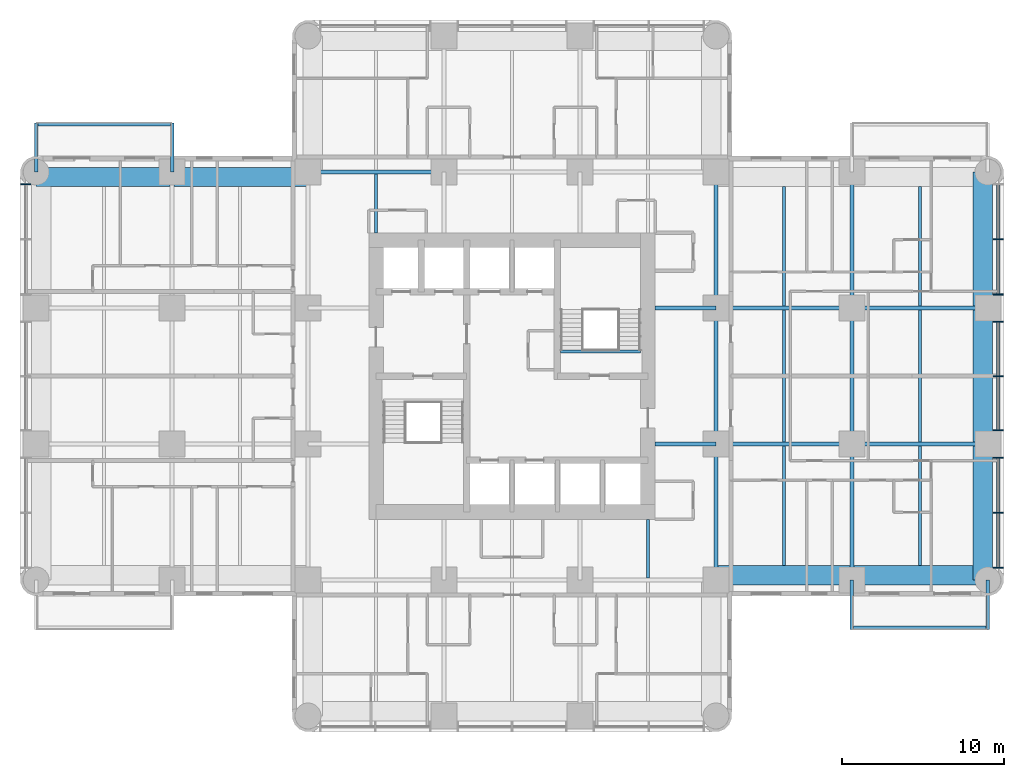
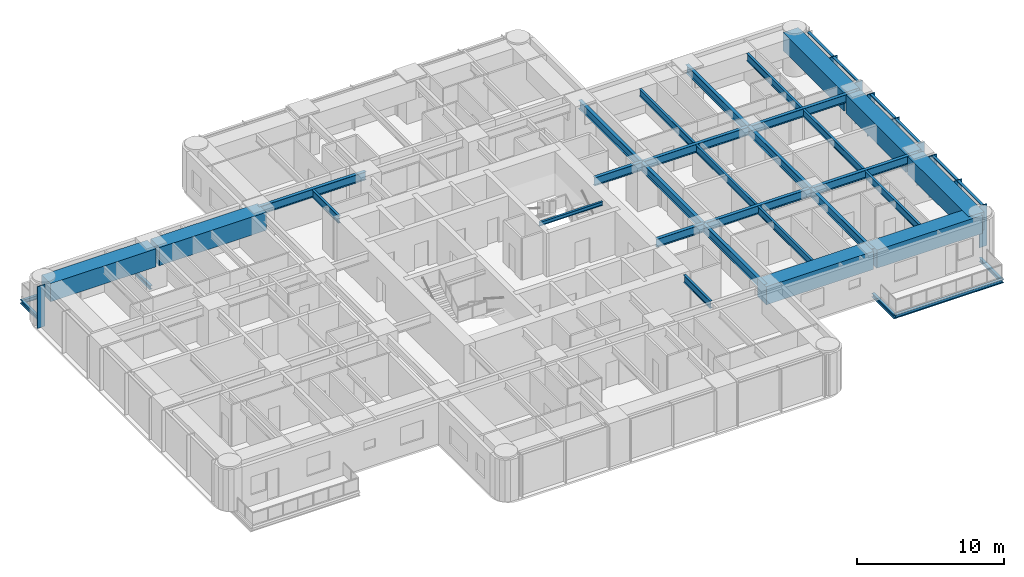
# One storey, part 3 of 14: 35 beams, 15 members, 2 elements without a shape of their own.
"""IFC4 building model written with IfcOpenShell, lengths in metres."""

import ifcopenshell
import ifcopenshell.guid

model = None  # the IFC model being written
_history = None  # IfcOwnerHistory: only IFC2X3 demands one
_inside = {}  # id of a spatial element -> (the spatial element, [elements in it])
_under = {}  # id of a project, library or spatial element -> (it, [spatial elements below it])
_declared = {}  # id of a project -> (the project, [libraries it declares])
_typed = {}  # id of a type object -> (the type object, [elements of that type])
_made_of = {}  # id of a material, layer set ... -> (it, [elements and type objects made of it])


def new_model(schema):
    """Start an empty IFC model of exactly this schema.

    Asked for "IFC4X3", IfcOpenShell would pick the latest addendum, in which some entities
    have other attributes; the version numbers below select the first issue.
    IFC2X3 requires an IfcOwnerHistory on every rooted entity: one is made here for all.
    """
    global model, _history
    if schema == "IFC4X3":
        model = ifcopenshell.file(schema_version=(4, 3, 0, 0))
    else:
        model = ifcopenshell.file(schema=schema)
    _inside.clear()
    _under.clear()
    _declared.clear()
    _typed.clear()
    _made_of.clear()
    _history = None
    if model.schema == "IFC2X3":
        org = make("IfcOrganization", Name="unknown")
        user = make(
            "IfcPersonAndOrganization",
            ThePerson=make("IfcPerson", FamilyName="unknown"),
            TheOrganization=org,
        )
        app = make(
            "IfcApplication",
            ApplicationDeveloper=org,
            Version="unknown",
            ApplicationFullName="unknown",
            ApplicationIdentifier="unknown",
        )
        _history = make(
            "IfcOwnerHistory",
            OwningUser=user,
            OwningApplication=app,
            ChangeAction="ADDED",
            CreationDate=0,
        )
    return model


def make(cls, **values):
    """One entity of the class cls with the attributes given. An attribute that is None is left unset."""
    return model.create_entity(
        cls, **{name: value for name, value in values.items() if value is not None}
    )


def rooted(cls, **values):
    """An entity with a GlobalId (a new one), such as an element, a storey or a relation."""
    return make(cls, GlobalId=ifcopenshell.guid.new(), OwnerHistory=_history, **values)


def si_unit(unit_type, name, prefix=None):
    """IfcSIUnit, for example si_unit("LENGTHUNIT", "METRE", prefix="MILLI")."""
    return make("IfcSIUnit", UnitType=unit_type, Prefix=prefix, Name=name)


def assignment(units):
    """IfcUnitAssignment: the units of a project."""
    return None if units is None else make("IfcUnitAssignment", Units=units)


def point(xyz):
    """IfcCartesianPoint."""
    return None if xyz is None else make("IfcCartesianPoint", Coordinates=xyz)


def direction(xyz):
    """IfcDirection."""
    return None if xyz is None else make("IfcDirection", DirectionRatios=xyz)


def frame(location, z_axis=None, x_axis=None):
    """IfcAxis2Placement3D, a coordinate frame: its origin and axes. An axis left out is left unset."""
    return make(
        "IfcAxis2Placement3D",
        Location=point(location),
        Axis=direction(z_axis),
        RefDirection=direction(x_axis),
    )


def frame_2d(location, x_axis=None):
    """IfcAxis2Placement2D, a coordinate frame in the plane: its origin and x axis."""
    return make(
        "IfcAxis2Placement2D", Location=point(location), RefDirection=direction(x_axis)
    )


def origin():
    """The frame at (0, 0, 0) with its axes left unset."""
    return frame((0.0, 0.0, 0.0))


def origin_2d():
    """The frame at (0, 0) in the plane with its x axis left unset."""
    return frame_2d((0.0, 0.0))


def place(relative_to, where):
    """IfcLocalPlacement: puts the frame where relative to a parent placement (None: the world)."""
    return make(
        "IfcLocalPlacement", PlacementRelTo=relative_to, RelativePlacement=where
    )


def context(
    kind, dimensions, precision=None, world=None, true_north=None, identifier=None
):
    """IfcGeometricRepresentationContext, for example the 3D "Model" context."""
    return make(
        "IfcGeometricRepresentationContext",
        ContextIdentifier=identifier,
        ContextType=kind,
        CoordinateSpaceDimension=dimensions,
        Precision=precision,
        WorldCoordinateSystem=world,
        TrueNorth=true_north,
    )


def subcontext(parent, identifier, kind, view, scale=None):
    """IfcGeometricRepresentationSubContext, for example "Body" below "Model"."""
    return make(
        "IfcGeometricRepresentationSubContext",
        ContextIdentifier=identifier,
        ContextType=kind,
        ParentContext=parent,
        TargetScale=scale,
        TargetView=view,
    )


def project(units=None, contexts=None):
    """IfcProject with its units and contexts."""
    return rooted(
        "IfcProject",
        Name="project",
        RepresentationContexts=contexts,
        UnitsInContext=assignment(units),
    )


def spatial(cls, under=None, at=None, **own):
    """A site, building, storey or space (cls), placed at a placement, below another one or the project."""
    s = rooted(cls, ObjectPlacement=at, **own)
    if under is not None:
        _under.setdefault(under.id(), (under, []))[1].append(s)
    return s


def profile(cls, at=None, kind="AREA", **sizes):
    """A parametric profile (cls). Its sizes go by their IFC names, for example OverallWidth=200.0."""
    return make(cls, ProfileType=kind, Position=at, **sizes)


def rectangle(**sizes):
    """IfcRectangleProfileDef."""
    return profile("IfcRectangleProfileDef", **sizes)


def i_section(**sizes):
    """IfcIShapeProfileDef."""
    return profile("IfcIShapeProfileDef", **sizes)


def extrude(swept, where, along, depth):
    """IfcExtrudedAreaSolid: the profile swept, set in the frame where, extruded along a direction by depth."""
    return make(
        "IfcExtrudedAreaSolid",
        SweptArea=swept,
        Position=where,
        ExtrudedDirection=direction(along),
        Depth=depth,
    )


def shape(context_of_items, identifier, shape_type, items):
    """IfcShapeRepresentation: the items that make up one representation, for example the "Body"."""
    return make(
        "IfcShapeRepresentation",
        ContextOfItems=context_of_items,
        RepresentationIdentifier=identifier,
        RepresentationType=shape_type,
        Items=items,
    )


def material(Name=None, Category=None):
    """IfcMaterial."""
    return make("IfcMaterial", Name=Name, Category=Category)


def material_profile(
    of_material, cross_section, Name=None, Category=None, Priority=None
):
    """IfcMaterialProfile: a cross section and its material."""
    return make(
        "IfcMaterialProfile",
        Name=Name,
        Material=of_material,
        Profile=cross_section,
        Priority=Priority,
        Category=Category,
    )


def profile_set(profiles, Name=None, composite=None):
    """IfcMaterialProfileSet."""
    return make(
        "IfcMaterialProfileSet",
        Name=Name,
        MaterialProfiles=profiles,
        CompositeProfile=composite,
    )


def made_of(thing, what):
    """Note that an element or type object is made of a material, layer set ...; save() writes the relation."""
    if what is not None:
        _made_of.setdefault(what.id(), (what, []))[1].append(thing)
    return thing


def type_object(cls, material=None, **own):
    """A type object (cls), such as IfcWallType, which elements share."""
    return made_of(rooted(cls, **own), material)


def element(
    cls,
    number,
    at=None,
    inside=None,
    cuts=None,
    type_object=None,
    material=None,
    context=None,
    identifier="Body",
    shape_type=None,
    held_by="IfcProductDefinitionShape",
    body=None,
    shapes=None,
    **own,
):
    """One element of the class cls, such as IfcWall. Its Tag is "e" and its number.

    at: its placement. inside: the storey or other place that contains it. cuts: it is an
    opening in that element (IfcRelVoidsElement). A single representation is given by context,
    identifier, shape_type and body (its items); several are given by shapes. held_by: the class
    of the entity that holds the representations. save() writes the other relations.
    """
    e = rooted(cls, Tag="e%d" % number, ObjectPlacement=at, **own)
    if body is not None:
        shapes = [shape(context, identifier, shape_type, body)]
    if shapes is not None:
        e.Representation = make(held_by, Representations=shapes)
    if inside is not None:
        _inside.setdefault(inside.id(), (inside, []))[1].append(e)
    if cuts is not None:
        rooted(
            "IfcRelVoidsElement", RelatingBuildingElement=cuts, RelatedOpeningElement=e
        )
    if type_object is not None:
        _typed.setdefault(type_object.id(), (type_object, []))[1].append(e)
    return made_of(e, material)


def aggregate(whole, parts):
    """IfcRelAggregates: a whole, such as a stair, and the parts it consists of."""
    return rooted("IfcRelAggregates", RelatingObject=whole, RelatedObjects=parts)


def save(model, path):
    """Write the relations noted so far, then the file.

    IfcRelAggregates (storeys below a building ...), IfcRelContainedInSpatialStructure (elements
    in a storey), IfcRelDefinesByType, IfcRelAssociatesMaterial and IfcRelDeclares: one each for
    every whole, place, type object, material and project.
    """
    for whole, parts in _under.values():
        aggregate(whole, parts)
    for where, things in _inside.values():
        rooted(
            "IfcRelContainedInSpatialStructure",
            RelatedElements=things,
            RelatingStructure=where,
        )
    for kind, things in _typed.values():
        rooted("IfcRelDefinesByType", RelatedObjects=things, RelatingType=kind)
    for what, things in _made_of.values():
        rooted("IfcRelAssociatesMaterial", RelatedObjects=things, RelatingMaterial=what)
    for by, libraries in _declared.values():
        rooted("IfcRelDeclares", RelatingContext=by, RelatedDefinitions=libraries)
    model.write(path)


model = new_model("IFC4")

# Units and contexts
model_context = context("Model", 3, precision=1e-05, world=origin(), true_north=direction((0.0, 1.0)))
body_context = subcontext(model_context, "Body", "Model", "MODEL_VIEW")
ifc_project = project(units=[si_unit("LENGTHUNIT", "METRE"), si_unit("AREAUNIT", "SQUARE_METRE"), si_unit("VOLUMEUNIT", "CUBIC_METRE"), si_unit("PLANEANGLEUNIT", "RADIAN"), si_unit("MASSUNIT", "GRAM", prefix="KILO")], contexts=[model_context])

# Site, building, storey
site_placement = place(None, origin())
site = spatial("IfcSite", under=ifc_project, at=site_placement, CompositionType="ELEMENT")
building_placement = place(site_placement, origin())
building = spatial("IfcBuilding", under=site, at=building_placement, Name="Torre Alcanfor", CompositionType="ELEMENT")
storey_placement = place(building_placement, frame((0.0, 0.0, 141.300048828125)))
storey = spatial("IfcBuildingStorey", under=building, at=storey_placement, Name="L36", CompositionType="ELEMENT", Elevation=141.300048828125)

# Beams
ifc_material_1 = material(Name="Steel ASTM A992 Grade 50", Category="steel")
ifc_material_profile_1 = material_profile(ifc_material_1, i_section(OverallWidth=0.205322265625, OverallDepth=0.309814453125, WebThickness=0.00927734375, FlangeThickness=0.016357421875, at=origin_2d()), Name="W12x50")
ifc_profile_set_1 = profile_set([ifc_material_profile_1], Name="Steel ASTM A992 Grade 50")
beam_type_1 = type_object("IfcBeamType", Name="Balcony cantilever beam W12x50", PredefinedType="BEAM", material=ifc_profile_set_1)
for number, where, z_axis, x_axis, name in (
    (1, (50.39990234375, 16.800048828125, -0.35498046875), (0.0, -1.0, 0.0), (1.0, 0.0, 0.0), "Balcony cantilever beam L36-E2 1"),
    (2, (58.800048828125, 16.800048828125, -0.35498046875), (0.0, -1.0, 0.0), (1.0, 0.0, 0.0), "Balcony cantilever beam L36-E2 2"),
    (3, (8.39990234375, 42.0, -0.35498046875), (0.0, 1.0, 0.0), (-1.0, 0.0, 0.0), "Balcony cantilever beam L36-W2 1"),
    (4, (0.0, 42.0, -0.35498046875), (0.0, 1.0, 0.0), (-1.0, 0.0, 0.0), "Balcony cantilever beam L36-W2 2"),
):
    element("IfcBeam", number, at=place(storey_placement, frame(where, z_axis=z_axis, x_axis=x_axis)), inside=storey, type_object=beam_type_1, Name=name, PredefinedType="BEAM", context=body_context, shape_type="SweptSolid", body=[
        extrude(i_section(OverallWidth=0.205322265625, OverallDepth=0.309814453125, WebThickness=0.00927734375, FlangeThickness=0.016357421875, at=origin_2d()), origin(), (0.0, 0.0, 1.0), 3.050048828125),
    ])
ifc_material_2 = material(Name="Steel ASTM A992 Grade 50", Category="steel")
ifc_material_profile_2 = material_profile(ifc_material_2, i_section(OverallWidth=0.203369140625, OverallDepth=0.30224609375, WebThickness=0.007568359375, FlangeThickness=0.01318359375, at=origin_2d()), Name="W12x40")
ifc_profile_set_2 = profile_set([ifc_material_profile_2], Name="Steel ASTM A992 Grade 50")
beam_type_2 = type_object("IfcBeamType", Name="Balcony edge trimmer W12x40", PredefinedType="BEAM", material=ifc_profile_set_2)
beam_1_placement = place(storey_placement, frame((50.39990234375, 13.851806640625, -0.35107421875), z_axis=(1.0, 0.0, 0.0), x_axis=(0.0, 1.0, 0.0)))
element("IfcBeam", 5, at=beam_1_placement, inside=storey, type_object=beam_type_2, Name="Balcony edge trimmer L36-E2", PredefinedType="BEAM", context=body_context, shape_type="SweptSolid", body=[
    extrude(i_section(OverallWidth=0.203369140625, OverallDepth=0.30224609375, WebThickness=0.007568359375, FlangeThickness=0.01318359375, at=origin_2d()), origin(), (0.0, 0.0, 1.0), 8.400146484375),
])
beam_2_placement = place(storey_placement, frame((8.39990234375, 44.9482421875, -0.35107421875), z_axis=(-1.0, 0.0, 0.0), x_axis=(0.0, -1.0, 0.0)))
element("IfcBeam", 6, at=beam_2_placement, inside=storey, type_object=beam_type_2, Name="Balcony edge trimmer L36-W2", PredefinedType="BEAM", context=body_context, shape_type="SweptSolid", body=[
    extrude(i_section(OverallWidth=0.203369140625, OverallDepth=0.30224609375, WebThickness=0.007568359375, FlangeThickness=0.01318359375, at=origin_2d()), origin(), (0.0, 0.0, 1.0), 8.39990234375),
])

# Curtain wall, member
ifc_material_3 = material(Name="Aluminium and glass", Category="aluminium")
curtain_wall_type = type_object("IfcCurtainWallType", Name="CW-A unitised apartment glazing with vertical FIN", PredefinedType="NOTDEFINED", material=ifc_material_3)
curtain_wall_1_placement = place(storey_placement, origin())
curtain_wall_1 = element("IfcCurtainWall", 7, at=curtain_wall_1_placement, inside=storey, type_object=curtain_wall_type, Name="Curtain wall CW-A L36 2", PredefinedType="NOTDEFINED")
ifc_material_4 = material(Name="Bronze anodised aluminium", Category="aluminium")
ifc_material_profile_3 = material_profile(ifc_material_4, rectangle(XDim=0.60009765625, YDim=0.06494140625, at=origin_2d()), Name="CW-A mullion 65x600")
ifc_profile_set_3 = profile_set([ifc_material_profile_3], Name="Bronze anodised aluminium")
member_type_1 = type_object("IfcMemberType", Name="CW-A mullion with vertical FIN 65x600", PredefinedType="MULLION", material=ifc_profile_set_3)
member_1_placement = place(storey_placement, frame((-0.64990234375, 41.24267578125, 0.0), z_axis=(0.0, 0.0, 1.0), x_axis=(1.0, 0.0, 0.0)))
member_1 = element("IfcMember", 8, at=member_1_placement, type_object=member_type_1, Name="CW-A mullion 1.1", PredefinedType="MULLION", context=body_context, shape_type="SweptSolid", body=[
    extrude(rectangle(XDim=0.60009765625, YDim=0.06494140625, at=origin_2d()), origin(), (0.0, 0.0, 1.0), 3.449951171875),
])
aggregate(curtain_wall_1, [member_1])

# Curtain wall, members
curtain_wall_2_placement = place(storey_placement, origin())
curtain_wall_2 = element("IfcCurtainWall", 9, at=curtain_wall_2_placement, inside=storey, type_object=curtain_wall_type, Name="Curtain wall CW-A L36 8", PredefinedType="NOTDEFINED")
member_2_placement = place(storey_placement, frame((59.449951171875, 17.557373046875, 0.0), z_axis=(0.0, 0.0, 1.0), x_axis=(-1.0, 0.0, 0.0)))
member_2 = element("IfcMember", 10, at=member_2_placement, type_object=member_type_1, Name="CW-A mullion 1.1", PredefinedType="MULLION", context=body_context, shape_type="SweptSolid", body=[
    extrude(rectangle(XDim=0.60009765625, YDim=0.06494140625, at=origin_2d()), origin(), (0.0, 0.0, 1.0), 3.449951171875),
])
member_3_placement = place(storey_placement, frame((59.449951171875, 20.9599609375, 0.0), z_axis=(0.0, 0.0, 1.0), x_axis=(-1.0, 0.0, 0.0)))
member_3 = element("IfcMember", 11, at=member_3_placement, type_object=member_type_1, Name="CW-A mullion 1.2", PredefinedType="MULLION", context=body_context, shape_type="SweptSolid", body=[
    extrude(rectangle(XDim=0.60009765625, YDim=0.06494140625, at=origin_2d()), origin(), (0.0, 0.0, 1.0), 3.449951171875),
])
member_4_placement = place(storey_placement, frame((59.449951171875, 24.362548828125, 0.0), z_axis=(0.0, 0.0, 1.0), x_axis=(-1.0, 0.0, 0.0)))
member_4 = element("IfcMember", 12, at=member_4_placement, type_object=member_type_1, Name="CW-A mullion 1.3", PredefinedType="MULLION", context=body_context, shape_type="SweptSolid", body=[
    extrude(rectangle(XDim=0.60009765625, YDim=0.06494140625, at=origin_2d()), origin(), (0.0, 0.0, 1.0), 3.449951171875),
])
member_5_placement = place(storey_placement, frame((59.449951171875, 26.03759765625, 0.0), z_axis=(0.0, 0.0, 1.0), x_axis=(-1.0, 0.0, 0.0)))
member_5 = element("IfcMember", 13, at=member_5_placement, type_object=member_type_1, Name="CW-A mullion 2.1", PredefinedType="MULLION", context=body_context, shape_type="SweptSolid", body=[
    extrude(rectangle(XDim=0.60009765625, YDim=0.06494140625, at=origin_2d()), origin(), (0.0, 0.0, 1.0), 3.449951171875),
])
member_6_placement = place(storey_placement, frame((59.449951171875, 29.39990234375, 0.0), z_axis=(0.0, 0.0, 1.0), x_axis=(-1.0, 0.0, 0.0)))
member_6 = element("IfcMember", 14, at=member_6_placement, type_object=member_type_1, Name="CW-A mullion 2.2", PredefinedType="MULLION", context=body_context, shape_type="SweptSolid", body=[
    extrude(rectangle(XDim=0.60009765625, YDim=0.06494140625, at=origin_2d()), origin(), (0.0, 0.0, 1.0), 3.449951171875),
])
member_7_placement = place(storey_placement, frame((59.449951171875, 32.762451171875, 0.0), z_axis=(0.0, 0.0, 1.0), x_axis=(-1.0, 0.0, 0.0)))
member_7 = element("IfcMember", 15, at=member_7_placement, type_object=member_type_1, Name="CW-A mullion 2.3", PredefinedType="MULLION", context=body_context, shape_type="SweptSolid", body=[
    extrude(rectangle(XDim=0.60009765625, YDim=0.06494140625, at=origin_2d()), origin(), (0.0, 0.0, 1.0), 3.449951171875),
])
member_8_placement = place(storey_placement, frame((59.449951171875, 34.4375, 0.0), z_axis=(0.0, 0.0, 1.0), x_axis=(-1.0, 0.0, 0.0)))
member_8 = element("IfcMember", 16, at=member_8_placement, type_object=member_type_1, Name="CW-A mullion 3.1", PredefinedType="MULLION", context=body_context, shape_type="SweptSolid", body=[
    extrude(rectangle(XDim=0.60009765625, YDim=0.06494140625, at=origin_2d()), origin(), (0.0, 0.0, 1.0), 3.449951171875),
])
member_9_placement = place(storey_placement, frame((59.449951171875, 37.840087890625, 0.0), z_axis=(0.0, 0.0, 1.0), x_axis=(-1.0, 0.0, 0.0)))
member_9 = element("IfcMember", 17, at=member_9_placement, type_object=member_type_1, Name="CW-A mullion 3.2", PredefinedType="MULLION", context=body_context, shape_type="SweptSolid", body=[
    extrude(rectangle(XDim=0.60009765625, YDim=0.06494140625, at=origin_2d()), origin(), (0.0, 0.0, 1.0), 3.449951171875),
])
ifc_material_5 = material(Name="Extruded aluminium", Category="aluminium")
ifc_material_profile_4 = material_profile(ifc_material_5, rectangle(XDim=0.199951171875, YDim=0.06494140625, at=origin_2d()), Name="CW-A transom 200x65")
ifc_profile_set_4 = profile_set([ifc_material_profile_4], Name="Extruded aluminium")
member_type_2 = type_object("IfcMemberType", Name="CW-A transom 65x200", PredefinedType="USERDEFINED", material=ifc_profile_set_4)
member_10_placement = place(storey_placement, frame((59.449951171875, 17.58984375, 3.41748046875), z_axis=(0.0, 1.0, 0.0), x_axis=(-1.0, 0.0, 0.0)))
member_10 = element("IfcMember", 18, at=member_10_placement, type_object=member_type_2, Name="CW-A transom 1.1.2", ObjectType="TRANSOM", PredefinedType="USERDEFINED", context=body_context, shape_type="SweptSolid", body=[
    extrude(rectangle(XDim=0.199951171875, YDim=0.06494140625, at=origin_2d()), origin(), (0.0, 0.0, 1.0), 3.337646484375),
])
member_11_placement = place(storey_placement, frame((59.449951171875, 20.992431640625, 3.41748046875), z_axis=(0.0, 1.0, 0.0), x_axis=(-1.0, 0.0, 0.0)))
member_11 = element("IfcMember", 19, at=member_11_placement, type_object=member_type_2, Name="CW-A transom 1.2.2", ObjectType="TRANSOM", PredefinedType="USERDEFINED", context=body_context, shape_type="SweptSolid", body=[
    extrude(rectangle(XDim=0.199951171875, YDim=0.06494140625, at=origin_2d()), origin(), (0.0, 0.0, 1.0), 3.337646484375),
])
member_12_placement = place(storey_placement, frame((59.449951171875, 26.070068359375, 3.41748046875), z_axis=(0.0, 1.0, 0.0), x_axis=(-1.0, 0.0, 0.0)))
member_12 = element("IfcMember", 20, at=member_12_placement, type_object=member_type_2, Name="CW-A transom 2.1.2", ObjectType="TRANSOM", PredefinedType="USERDEFINED", context=body_context, shape_type="SweptSolid", body=[
    extrude(rectangle(XDim=0.199951171875, YDim=0.06494140625, at=origin_2d()), origin(), (0.0, 0.0, 1.0), 3.29736328125),
])
member_13_placement = place(storey_placement, frame((59.449951171875, 29.4326171875, 3.41748046875), z_axis=(0.0, 1.0, 0.0), x_axis=(-1.0, 0.0, 0.0)))
member_13 = element("IfcMember", 21, at=member_13_placement, type_object=member_type_2, Name="CW-A transom 2.2.2", ObjectType="TRANSOM", PredefinedType="USERDEFINED", context=body_context, shape_type="SweptSolid", body=[
    extrude(rectangle(XDim=0.199951171875, YDim=0.06494140625, at=origin_2d()), origin(), (0.0, 0.0, 1.0), 3.29736328125),
])
member_14_placement = place(storey_placement, frame((59.449951171875, 34.469970703125, 3.41748046875), z_axis=(0.0, 1.0, 0.0), x_axis=(-1.0, 0.0, 0.0)))
member_14 = element("IfcMember", 22, at=member_14_placement, type_object=member_type_2, Name="CW-A transom 3.1.2", ObjectType="TRANSOM", PredefinedType="USERDEFINED", context=body_context, shape_type="SweptSolid", body=[
    extrude(rectangle(XDim=0.199951171875, YDim=0.06494140625, at=origin_2d()), origin(), (0.0, 0.0, 1.0), 3.337646484375),
])
member_15_placement = place(storey_placement, frame((59.449951171875, 37.87255859375, 3.41748046875), z_axis=(0.0, 1.0, 0.0), x_axis=(-1.0, 0.0, 0.0)))
member_15 = element("IfcMember", 23, at=member_15_placement, type_object=member_type_2, Name="CW-A transom 3.2.2", ObjectType="TRANSOM", PredefinedType="USERDEFINED", context=body_context, shape_type="SweptSolid", body=[
    extrude(rectangle(XDim=0.199951171875, YDim=0.06494140625, at=origin_2d()), origin(), (0.0, 0.0, 1.0), 3.337646484375),
])
aggregate(curtain_wall_2, [member_2, member_3, member_4, member_10, member_11, member_5, member_6, member_7, member_12, member_13, member_8, member_9, member_14, member_15])

# Beams
ifc_material_6 = material(Name="Steel ASTM A992 Grade 50", Category="steel")
ifc_material_profile_5 = material_profile(ifc_material_6, i_section(OverallWidth=0.25390625, OverallDepth=0.683349609375, WebThickness=0.012451171875, FlangeThickness=0.01904296875, at=origin_2d()), Name="W27x94")
ifc_profile_set_5 = profile_set([ifc_material_profile_5], Name="Steel ASTM A992 Grade 50")
beam_type_3 = type_object("IfcBeamType", Name="Girder W27x94", PredefinedType="BEAM", material=ifc_profile_set_5)
beam_3_placement = place(storey_placement, frame((42.0, 25.199951171875, 3.1083984375), z_axis=(1.0, 0.0, 0.0), x_axis=(0.0, 1.0, 0.0)))
element("IfcBeam", 24, at=beam_3_placement, inside=storey, type_object=beam_type_3, Name="Beam 6F-7F under L37", PredefinedType="BEAM", context=body_context, shape_type="SweptSolid", body=[
    extrude(i_section(OverallWidth=0.25390625, OverallDepth=0.683349609375, WebThickness=0.012451171875, FlangeThickness=0.01904296875, at=origin_2d()), origin(), (0.0, 0.0, 1.0), 8.39990234375),
])
beam_4_placement = place(storey_placement, frame((50.39990234375, 25.199951171875, 3.1083984375), z_axis=(1.0, 0.0, 0.0), x_axis=(0.0, 1.0, 0.0)))
element("IfcBeam", 25, at=beam_4_placement, inside=storey, type_object=beam_type_3, Name="Beam 7F-8F under L37", PredefinedType="BEAM", context=body_context, shape_type="SweptSolid", body=[
    extrude(i_section(OverallWidth=0.25390625, OverallDepth=0.683349609375, WebThickness=0.012451171875, FlangeThickness=0.01904296875, at=origin_2d()), origin(), (0.0, 0.0, 1.0), 8.400146484375),
])
beam_5_placement = place(storey_placement, frame((42.0, 33.60009765625, 3.1083984375), z_axis=(1.0, 0.0, 0.0), x_axis=(0.0, 1.0, 0.0)))
element("IfcBeam", 26, at=beam_5_placement, inside=storey, type_object=beam_type_3, Name="Beam 6G-7G under L37", PredefinedType="BEAM", context=body_context, shape_type="SweptSolid", body=[
    extrude(i_section(OverallWidth=0.25390625, OverallDepth=0.683349609375, WebThickness=0.012451171875, FlangeThickness=0.01904296875, at=origin_2d()), origin(), (0.0, 0.0, 1.0), 8.39990234375),
])
beam_6_placement = place(storey_placement, frame((50.39990234375, 33.60009765625, 3.1083984375), z_axis=(1.0, 0.0, 0.0), x_axis=(0.0, 1.0, 0.0)))
element("IfcBeam", 27, at=beam_6_placement, inside=storey, type_object=beam_type_3, Name="Beam 7G-8G under L37", PredefinedType="BEAM", context=body_context, shape_type="SweptSolid", body=[
    extrude(i_section(OverallWidth=0.25390625, OverallDepth=0.683349609375, WebThickness=0.012451171875, FlangeThickness=0.01904296875, at=origin_2d()), origin(), (0.0, 0.0, 1.0), 8.400146484375),
])
for number, where, z_axis, x_axis, name in (
    (28, (16.800048828125, 42.0, 3.1083984375), (1.0, 0.0, 0.0), (0.0, 1.0, 0.0), "Beam 3H-4H under L37"),
    (29, (42.0, 16.800048828125, 3.1083984375), (0.0, 1.0, 0.0), (-1.0, 0.0, 0.0), "Beam 6E-6F under L37"),
):
    element("IfcBeam", number, at=place(storey_placement, frame(where, z_axis=z_axis, x_axis=x_axis)), inside=storey, type_object=beam_type_3, Name=name, PredefinedType="BEAM", context=body_context, shape_type="SweptSolid", body=[
        extrude(i_section(OverallWidth=0.25390625, OverallDepth=0.683349609375, WebThickness=0.012451171875, FlangeThickness=0.01904296875, at=origin_2d()), origin(), (0.0, 0.0, 1.0), 8.39990234375),
    ])
beam_7_placement = place(storey_placement, frame((42.0, 25.199951171875, 3.1083984375), z_axis=(0.0, 1.0, 0.0), x_axis=(-1.0, 0.0, 0.0)))
element("IfcBeam", 30, at=beam_7_placement, inside=storey, type_object=beam_type_3, Name="Beam 6F-6G under L37", PredefinedType="BEAM", context=body_context, shape_type="SweptSolid", body=[
    extrude(i_section(OverallWidth=0.25390625, OverallDepth=0.683349609375, WebThickness=0.012451171875, FlangeThickness=0.01904296875, at=origin_2d()), origin(), (0.0, 0.0, 1.0), 8.400146484375),
])
for number, where, z_axis, x_axis, name in (
    (31, (42.0, 33.60009765625, 3.1083984375), (0.0, 1.0, 0.0), (-1.0, 0.0, 0.0), "Beam 6G-6H under L37"),
    (32, (50.39990234375, 16.800048828125, 3.1083984375), (0.0, 1.0, 0.0), (-1.0, 0.0, 0.0), "Beam 7E-7F under L37"),
):
    element("IfcBeam", number, at=place(storey_placement, frame(where, z_axis=z_axis, x_axis=x_axis)), inside=storey, type_object=beam_type_3, Name=name, PredefinedType="BEAM", context=body_context, shape_type="SweptSolid", body=[
        extrude(i_section(OverallWidth=0.25390625, OverallDepth=0.683349609375, WebThickness=0.012451171875, FlangeThickness=0.01904296875, at=origin_2d()), origin(), (0.0, 0.0, 1.0), 8.39990234375),
    ])
beam_8_placement = place(storey_placement, frame((50.39990234375, 25.199951171875, 3.1083984375), z_axis=(0.0, 1.0, 0.0), x_axis=(-1.0, 0.0, 0.0)))
element("IfcBeam", 33, at=beam_8_placement, inside=storey, type_object=beam_type_3, Name="Beam 7F-7G under L37", PredefinedType="BEAM", context=body_context, shape_type="SweptSolid", body=[
    extrude(i_section(OverallWidth=0.25390625, OverallDepth=0.683349609375, WebThickness=0.012451171875, FlangeThickness=0.01904296875, at=origin_2d()), origin(), (0.0, 0.0, 1.0), 8.400146484375),
])
beam_9_placement = place(storey_placement, frame((50.39990234375, 33.60009765625, 3.1083984375), z_axis=(0.0, 1.0, 0.0), x_axis=(-1.0, 0.0, 0.0)))
element("IfcBeam", 34, at=beam_9_placement, inside=storey, type_object=beam_type_3, Name="Beam 7G-7H under L37", PredefinedType="BEAM", context=body_context, shape_type="SweptSolid", body=[
    extrude(i_section(OverallWidth=0.25390625, OverallDepth=0.683349609375, WebThickness=0.012451171875, FlangeThickness=0.01904296875, at=origin_2d()), origin(), (0.0, 0.0, 1.0), 8.39990234375),
])
ifc_material_7 = material(Name="Steel ASTM A992 Grade 50", Category="steel")
ifc_material_profile_6 = material_profile(ifc_material_7, i_section(OverallWidth=0.25390625, OverallDepth=0.683349609375, WebThickness=0.012451171875, FlangeThickness=0.01904296875, at=origin_2d()), Name="W27x94")
ifc_profile_set_6 = profile_set([ifc_material_profile_6], Name="Steel ASTM A992 Grade 50")
beam_type_4 = type_object("IfcBeamType", Name="Girder, part bay W27x94", PredefinedType="BEAM", material=ifc_profile_set_6)
for number, where, z_axis, x_axis, name in (
    (35, (42.0, 25.199951171875, 3.1083984375), (-1.0, 0.0, 0.0), (0.0, -1.0, 0.0), "Beam 6F-38_25F under L37"),
    (36, (42.0, 33.60009765625, 3.1083984375), (-1.0, 0.0, 0.0), (0.0, -1.0, 0.0), "Beam 6G-38_25G under L37"),
):
    element("IfcBeam", number, at=place(storey_placement, frame(where, z_axis=z_axis, x_axis=x_axis)), inside=storey, type_object=beam_type_4, Name=name, PredefinedType="BEAM", context=body_context, shape_type="SweptSolid", body=[
        extrude(i_section(OverallWidth=0.25390625, OverallDepth=0.683349609375, WebThickness=0.012451171875, FlangeThickness=0.01904296875, at=origin_2d()), origin(), (0.0, 0.0, 1.0), 3.75),
    ])
ifc_material_8 = material(Name="Concrete f'c 70 MPa", Category="concrete")
ifc_material_profile_7 = material_profile(ifc_material_8, rectangle(XDim=1.199951171875, YDim=1.5, at=origin_2d()), Name="1200x1500")
ifc_profile_set_7 = profile_set([ifc_material_profile_7], Name="Concrete f'c 70 MPa")
beam_type_5 = type_object("IfcBeamType", Name="RC perimeter beam 1200x1500", PredefinedType="BEAM", material=ifc_profile_set_7)
beam_10_placement = place(storey_placement, frame((41.873046875, 17.10009765625, 2.699951171875), z_axis=(1.0, 0.0, 0.0), x_axis=(0.0, 1.0, 0.0)))
element("IfcBeam", 37, at=beam_10_placement, inside=storey, type_object=beam_type_5, Name="Beam 6E-7E under L37", PredefinedType="BEAM", context=body_context, shape_type="SweptSolid", body=[
    extrude(rectangle(XDim=1.199951171875, YDim=1.5, at=origin_2d()), origin(), (0.0, 0.0, 1.0), 8.39990234375),
])
for number, where, z_axis, x_axis, name in (
    (38, (50.527099609375, 17.10009765625, 2.699951171875), (1.0, 0.0, 0.0), (0.0, 1.0, 0.0), "Beam 7E-8E under L37"),
    (39, (0.0, 41.699951171875, 2.699951171875), (1.0, 0.0, 0.0), (0.0, 1.0, 0.0), "Beam 1H-2H under L37"),
):
    element("IfcBeam", number, at=place(storey_placement, frame(where, z_axis=z_axis, x_axis=x_axis)), inside=storey, type_object=beam_type_5, Name=name, PredefinedType="BEAM", context=body_context, shape_type="SweptSolid", body=[
        extrude(rectangle(XDim=1.199951171875, YDim=1.5, at=origin_2d()), origin(), (0.0, 0.0, 1.0), 8.27294921875),
    ])
beam_11_placement = place(storey_placement, frame((8.527099609375, 41.699951171875, 2.699951171875), z_axis=(1.0, 0.0, 0.0), x_axis=(0.0, 1.0, 0.0)))
element("IfcBeam", 40, at=beam_11_placement, inside=storey, type_object=beam_type_5, Name="Beam 2H-3H under L37", PredefinedType="BEAM", context=body_context, shape_type="SweptSolid", body=[
    extrude(rectangle(XDim=1.199951171875, YDim=1.5, at=origin_2d()), origin(), (0.0, 0.0, 1.0), 8.39990234375),
])
beam_12_placement = place(storey_placement, frame((58.5, 16.800048828125, 2.699951171875), z_axis=(0.0, 1.0, 0.0), x_axis=(-1.0, 0.0, 0.0)))
element("IfcBeam", 41, at=beam_12_placement, inside=storey, type_object=beam_type_5, Name="Beam 8E-8F under L37", PredefinedType="BEAM", context=body_context, shape_type="SweptSolid", body=[
    extrude(rectangle(XDim=1.199951171875, YDim=1.5, at=origin_2d()), origin(), (0.0, 0.0, 1.0), 8.27294921875),
])
beam_13_placement = place(storey_placement, frame((58.5, 25.326904296875, 2.699951171875), z_axis=(0.0, 1.0, 0.0), x_axis=(-1.0, 0.0, 0.0)))
element("IfcBeam", 42, at=beam_13_placement, inside=storey, type_object=beam_type_5, Name="Beam 8F-8G under L37", PredefinedType="BEAM", context=body_context, shape_type="SweptSolid", body=[
    extrude(rectangle(XDim=1.199951171875, YDim=1.5, at=origin_2d()), origin(), (0.0, 0.0, 1.0), 8.14599609375),
])
beam_14_placement = place(storey_placement, frame((58.5, 33.72705078125, 2.699951171875), z_axis=(0.0, 1.0, 0.0), x_axis=(-1.0, 0.0, 0.0)))
element("IfcBeam", 43, at=beam_14_placement, inside=storey, type_object=beam_type_5, Name="Beam 8G-8H under L37", PredefinedType="BEAM", context=body_context, shape_type="SweptSolid", body=[
    extrude(rectangle(XDim=1.199951171875, YDim=1.5, at=origin_2d()), origin(), (0.0, 0.0, 1.0), 8.27294921875),
])
ifc_material_9 = material(Name="Steel ASTM A992 Grade 50", Category="steel")
ifc_material_profile_8 = material_profile(ifc_material_9, i_section(OverallWidth=0.1787109375, OverallDepth=0.60205078125, WebThickness=0.010986328125, FlangeThickness=0.014892578125, at=origin_2d()), Name="W24x62")
ifc_profile_set_8 = profile_set([ifc_material_profile_8], Name="Steel ASTM A992 Grade 50")
beam_type_6 = type_object("IfcBeamType", Name="Secondary beam W24x62", PredefinedType="BEAM", material=ifc_profile_set_8)
beam_15_placement = place(storey_placement, frame((46.199951171875, 17.699951171875, 3.14892578125), z_axis=(0.0, 1.0, 0.0), x_axis=(-1.0, 0.0, 0.0)))
element("IfcBeam", 44, at=beam_15_placement, inside=storey, type_object=beam_type_6, Name="Beam 46_2E-46_2F under L37", PredefinedType="BEAM", context=body_context, shape_type="SweptSolid", body=[
    extrude(i_section(OverallWidth=0.1787109375, OverallDepth=0.60205078125, WebThickness=0.010986328125, FlangeThickness=0.014892578125, at=origin_2d()), origin(), (0.0, 0.0, 1.0), 7.373046875),
])
beam_16_placement = place(storey_placement, frame((46.199951171875, 25.326904296875, 3.14892578125), z_axis=(0.0, 1.0, 0.0), x_axis=(-1.0, 0.0, 0.0)))
element("IfcBeam", 45, at=beam_16_placement, inside=storey, type_object=beam_type_6, Name="Beam 46_2F-46_2G under L37", PredefinedType="BEAM", context=body_context, shape_type="SweptSolid", body=[
    extrude(i_section(OverallWidth=0.1787109375, OverallDepth=0.60205078125, WebThickness=0.010986328125, FlangeThickness=0.014892578125, at=origin_2d()), origin(), (0.0, 0.0, 1.0), 8.14599609375),
])
for number, where, z_axis, x_axis, name in (
    (46, (46.199951171875, 33.72705078125, 3.14892578125), (0.0, 1.0, 0.0), (-1.0, 0.0, 0.0), "Beam 46_2G-46_2H under L37"),
    (47, (54.60009765625, 17.699951171875, 3.14892578125), (0.0, 1.0, 0.0), (-1.0, 0.0, 0.0), "Beam 54_6E-54_6F under L37"),
):
    element("IfcBeam", number, at=place(storey_placement, frame(where, z_axis=z_axis, x_axis=x_axis)), inside=storey, type_object=beam_type_6, Name=name, PredefinedType="BEAM", context=body_context, shape_type="SweptSolid", body=[
        extrude(i_section(OverallWidth=0.1787109375, OverallDepth=0.60205078125, WebThickness=0.010986328125, FlangeThickness=0.014892578125, at=origin_2d()), origin(), (0.0, 0.0, 1.0), 7.373046875),
    ])
beam_17_placement = place(storey_placement, frame((54.60009765625, 25.326904296875, 3.14892578125), z_axis=(0.0, 1.0, 0.0), x_axis=(-1.0, 0.0, 0.0)))
element("IfcBeam", 48, at=beam_17_placement, inside=storey, type_object=beam_type_6, Name="Beam 54_6F-54_6G under L37", PredefinedType="BEAM", context=body_context, shape_type="SweptSolid", body=[
    extrude(i_section(OverallWidth=0.1787109375, OverallDepth=0.60205078125, WebThickness=0.010986328125, FlangeThickness=0.014892578125, at=origin_2d()), origin(), (0.0, 0.0, 1.0), 8.14599609375),
])
beam_18_placement = place(storey_placement, frame((54.60009765625, 33.72705078125, 3.14892578125), z_axis=(0.0, 1.0, 0.0), x_axis=(-1.0, 0.0, 0.0)))
element("IfcBeam", 49, at=beam_18_placement, inside=storey, type_object=beam_type_6, Name="Beam 54_6G-54_6H under L37", PredefinedType="BEAM", context=body_context, shape_type="SweptSolid", body=[
    extrude(i_section(OverallWidth=0.1787109375, OverallDepth=0.60205078125, WebThickness=0.010986328125, FlangeThickness=0.014892578125, at=origin_2d()), origin(), (0.0, 0.0, 1.0), 7.373046875),
])
ifc_material_10 = material(Name="Steel ASTM A992 Grade 50", Category="steel")
ifc_material_profile_9 = material_profile(ifc_material_10, i_section(OverallWidth=0.1787109375, OverallDepth=0.60205078125, WebThickness=0.010986328125, FlangeThickness=0.014892578125, at=origin_2d()), Name="W24x62")
ifc_profile_set_9 = profile_set([ifc_material_profile_9], Name="Steel ASTM A992 Grade 50")
beam_type_7 = type_object("IfcBeamType", Name="Secondary beam, part bay W24x62", PredefinedType="BEAM", material=ifc_profile_set_9)
for number, where, z_axis, x_axis, name in (
    (50, (21.0, 38.25, 3.14892578125), (0.0, 1.0, 0.0), (-1.0, 0.0, 0.0), "Beam 2138_25-21H under L37"),
    (51, (37.800048828125, 16.927001953125, 3.14892578125), (0.0, 1.0, 0.0), (-1.0, 0.0, 0.0), "Beam 37_8E-37_820_55 under L37"),
):
    element("IfcBeam", number, at=place(storey_placement, frame(where, z_axis=z_axis, x_axis=x_axis)), inside=storey, type_object=beam_type_7, Name=name, PredefinedType="BEAM", context=body_context, shape_type="SweptSolid", body=[
        extrude(i_section(OverallWidth=0.1787109375, OverallDepth=0.60205078125, WebThickness=0.010986328125, FlangeThickness=0.014892578125, at=origin_2d()), origin(), (0.0, 0.0, 1.0), 3.623046875),
    ])
ifc_material_11 = material(Name="Steel ASTM A992 Grade 50", Category="steel")
ifc_material_profile_10 = material_profile(ifc_material_11, i_section(OverallWidth=0.164794921875, OverallDepth=0.309814453125, WebThickness=0.005859375, FlangeThickness=0.009765625, at=origin_2d()), Name="W12x26")
ifc_profile_set_10 = profile_set([ifc_material_profile_10], Name="Steel ASTM A992 Grade 50")
beam_type_8 = type_object("IfcBeamType", Name="Stair landing beam W12x26", PredefinedType="BEAM", material=ifc_profile_set_10)
beam_19_placement = place(storey_placement, frame((32.39990234375, 30.91259765625, 3.2451171875), z_axis=(1.0, 0.0, 0.0), x_axis=(0.0, 1.0, 0.0)))
element("IfcBeam", 52, at=beam_19_placement, inside=storey, type_object=beam_type_8, Name="Landing trimmer S2 L37", PredefinedType="BEAM", context=body_context, shape_type="SweptSolid", body=[
    extrude(i_section(OverallWidth=0.164794921875, OverallDepth=0.309814453125, WebThickness=0.005859375, FlangeThickness=0.009765625, at=origin_2d()), origin(), (0.0, 0.0, 1.0), 4.9501953125),
])

save(model, "model.ifc")
